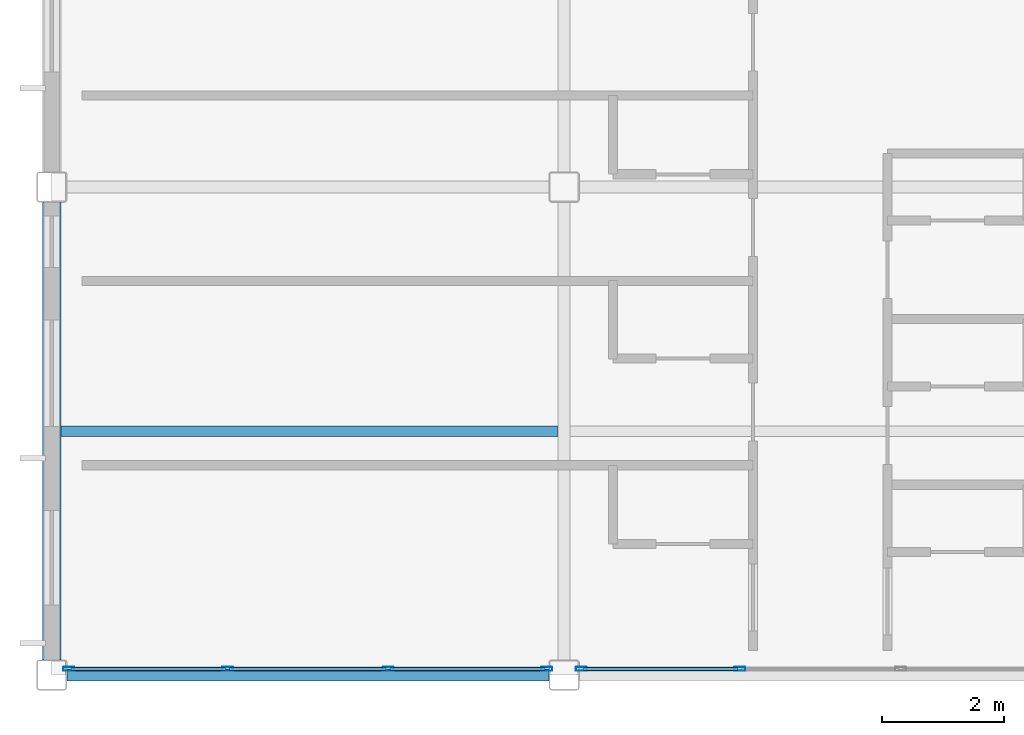
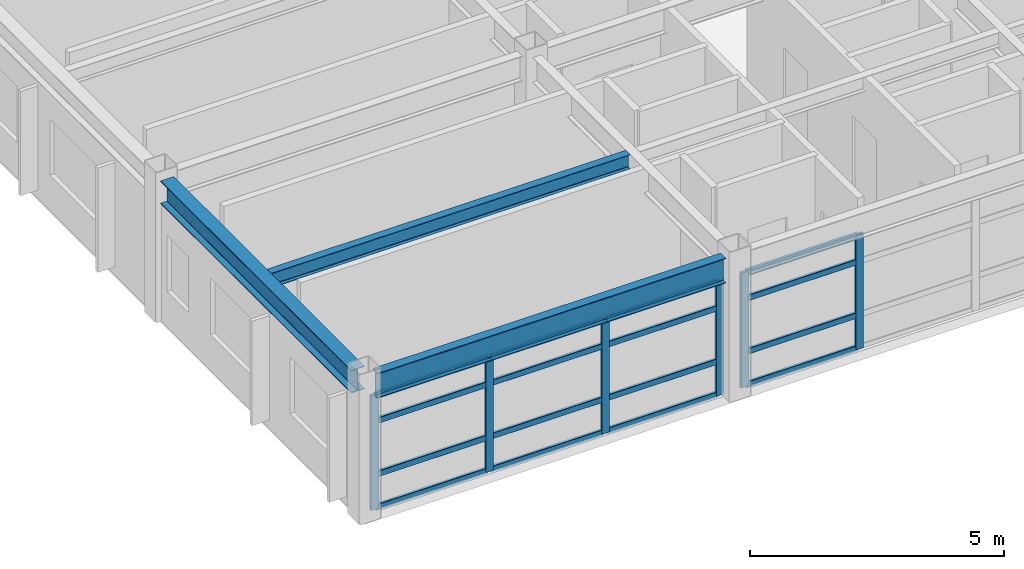
# One storey, part 3 of 35: 22 members, 3 beams, 2 elements without a shape of their own.
"""IFC4 building model written with IfcOpenShell, lengths in metres."""

from ifc_helpers import new_model, si_unit, direction, frame, origin, origin_2d, place, context, subcontext, project, spatial, hollow_rectangle, i_section, extrude, material, layer, layer_set, material_profile, profile_set, type_object, element, aggregate, save


model = new_model("IFC4")

# Units and contexts
model_context = context("Model", 3, precision=1e-05, world=origin(), true_north=direction((0.0, 1.0)))
body_context = subcontext(model_context, "Body", "Model", "MODEL_VIEW")
ifc_project = project(units=[si_unit("LENGTHUNIT", "METRE"), si_unit("AREAUNIT", "SQUARE_METRE"), si_unit("VOLUMEUNIT", "CUBIC_METRE"), si_unit("PLANEANGLEUNIT", "RADIAN"), si_unit("MASSUNIT", "GRAM", prefix="KILO")], contexts=[model_context])

# Site, building, storey
site_placement = place(None, origin())
site = spatial("IfcSite", under=ifc_project, at=site_placement, CompositionType="ELEMENT")
building_placement = place(site_placement, origin())
building = spatial("IfcBuilding", under=site, at=building_placement, Name="Kazehara Bluff Congress Hotel", CompositionType="ELEMENT")
storey_placement = place(building_placement, frame((0.0, 0.0, 35.39990234375)))
storey = spatial("IfcBuildingStorey", under=building, at=storey_placement, Name="L08", CompositionType="ELEMENT", Elevation=35.39990234375)

# Curtain wall, members
ifc_material_1 = material(Name="Anodised aluminium", Category="aluminium")
ifc_layer = layer(ifc_material_1, 0.159912109375)
ifc_layer_set = layer_set([ifc_layer], Name="Anodised aluminium")
curtain_wall_type = type_object("IfcCurtainWallType", Name="TP-CW-185", PredefinedType="NOTDEFINED", material=ifc_layer_set)
curtain_wall_1_placement = place(storey_placement, origin())
curtain_wall_1 = element("IfcCurtainWall", 1, at=curtain_wall_1_placement, inside=storey, type_object=curtain_wall_type, Name="L08 curtain wall CW-185 CW-ENC-V5-L08-14790-810", PredefinedType="NOTDEFINED")
ifc_material_2 = material(Name="Anodised aluminium", Category="aluminium")
ifc_material_profile_1 = material_profile(ifc_material_2, hollow_rectangle(XDim=0.06494140625, YDim=0.179931640625, WallThickness=0.00390625, InnerFilletRadius=0.00390625, OuterFilletRadius=0.008056640625, at=origin_2d()))
ifc_profile_set_1 = profile_set([ifc_material_profile_1], Name="Anodised aluminium")
member_type_1 = type_object("IfcMemberType", Name="TP-CWM-02", PredefinedType="MULLION", material=ifc_profile_set_1)
member_1_placement = place(storey_placement, frame((151.8173828125, 8.10009765625, 0.0), z_axis=(0.0, 0.0, 1.0), x_axis=(0.0, -1.0, 0.0)))
member_1 = element("IfcMember", 2, at=member_1_placement, type_object=member_type_1, Name="CW-185 mullion 1", PredefinedType="MULLION", context=body_context, shape_type="SweptSolid", body=[
    extrude(hollow_rectangle(XDim=0.06494140625, YDim=0.179931640625, WallThickness=0.00390625, InnerFilletRadius=0.00390625, OuterFilletRadius=0.008056640625, at=origin_2d()), origin(), (0.0, 0.0, 1.0), 2.755126953125),
])
member_2_placement = place(storey_placement, frame((149.216552734375, 8.10009765625, 0.0), z_axis=(0.0, 0.0, 1.0), x_axis=(0.0, -1.0, 0.0)))
member_2 = element("IfcMember", 3, at=member_2_placement, type_object=member_type_1, Name="CW-185 mullion 2", PredefinedType="MULLION", context=body_context, shape_type="SweptSolid", body=[
    extrude(hollow_rectangle(XDim=0.06494140625, YDim=0.179931640625, WallThickness=0.00390625, InnerFilletRadius=0.00390625, OuterFilletRadius=0.008056640625, at=origin_2d()), origin(), (0.0, 0.0, 1.0), 2.755126953125),
])
member_3_placement = place(storey_placement, frame((146.583251953125, 8.10009765625, 0.0), z_axis=(0.0, 0.0, 1.0), x_axis=(0.0, -1.0, 0.0)))
member_3 = element("IfcMember", 4, at=member_3_placement, type_object=member_type_1, Name="CW-185 mullion 3", PredefinedType="MULLION", context=body_context, shape_type="SweptSolid", body=[
    extrude(hollow_rectangle(XDim=0.06494140625, YDim=0.179931640625, WallThickness=0.00390625, InnerFilletRadius=0.00390625, OuterFilletRadius=0.008056640625, at=origin_2d()), origin(), (0.0, 0.0, 1.0), 2.755126953125),
])
member_4_placement = place(storey_placement, frame((143.982421875, 8.10009765625, 0.0), z_axis=(0.0, 0.0, 1.0), x_axis=(0.0, -1.0, 0.0)))
member_4 = element("IfcMember", 5, at=member_4_placement, type_object=member_type_1, Name="CW-185 mullion 4", PredefinedType="MULLION", context=body_context, shape_type="SweptSolid", body=[
    extrude(hollow_rectangle(XDim=0.06494140625, YDim=0.179931640625, WallThickness=0.00390625, InnerFilletRadius=0.00390625, OuterFilletRadius=0.008056640625, at=origin_2d()), origin(), (0.0, 0.0, 1.0), 2.755126953125),
])

curtain_wall_2_placement = place(storey_placement, origin())
curtain_wall_2 = element("IfcCurtainWall", 6, at=curtain_wall_2_placement, inside=storey, type_object=curtain_wall_type, Name="L08 curtain wall CW-185 CW-ENC-V5-L08-15630-810", PredefinedType="NOTDEFINED")
member_5_placement = place(storey_placement, frame((154.9833984375, 8.10009765625, 0.0), z_axis=(0.0, 0.0, 1.0), x_axis=(0.0, -1.0, 0.0)))
member_5 = element("IfcMember", 7, at=member_5_placement, type_object=member_type_1, Name="CW-185 mullion 3", PredefinedType="MULLION", context=body_context, shape_type="SweptSolid", body=[
    extrude(hollow_rectangle(XDim=0.06494140625, YDim=0.179931640625, WallThickness=0.00390625, InnerFilletRadius=0.00390625, OuterFilletRadius=0.008056640625, at=origin_2d()), origin(), (0.0, 0.0, 1.0), 2.755126953125),
])
member_6_placement = place(storey_placement, frame((152.382568359375, 8.10009765625, 0.0), z_axis=(0.0, 0.0, 1.0), x_axis=(0.0, -1.0, 0.0)))
member_6 = element("IfcMember", 8, at=member_6_placement, type_object=member_type_1, Name="CW-185 mullion 4", PredefinedType="MULLION", context=body_context, shape_type="SweptSolid", body=[
    extrude(hollow_rectangle(XDim=0.06494140625, YDim=0.179931640625, WallThickness=0.00390625, InnerFilletRadius=0.00390625, OuterFilletRadius=0.008056640625, at=origin_2d()), origin(), (0.0, 0.0, 1.0), 2.755126953125),
])

# Member
ifc_material_3 = material(Name="Anodised aluminium", Category="aluminium")
ifc_material_profile_2 = material_profile(ifc_material_3, hollow_rectangle(XDim=0.06494140625, YDim=0.139892578125, WallThickness=0.00390625, InnerFilletRadius=0.00390625, OuterFilletRadius=0.008056640625, at=origin_2d()))
ifc_profile_set_2 = profile_set([ifc_material_profile_2], Name="Anodised aluminium")
member_type_2 = type_object("IfcMemberType", Name="TP-CWT-02", PredefinedType="USERDEFINED", material=ifc_profile_set_2)
member_7_placement = place(storey_placement, frame((151.784912109375, 8.10009765625, 0.03271484375), z_axis=(-1.0, 0.0, 0.0), x_axis=(0.0, -1.0, 0.0)))
member_7 = element("IfcMember", 9, at=member_7_placement, type_object=member_type_2, Name="CW-185 transom 1.1", ObjectType="TRANSOM", PredefinedType="USERDEFINED", context=body_context, shape_type="SweptSolid", body=[
    extrude(hollow_rectangle(XDim=0.06494140625, YDim=0.139892578125, WallThickness=0.00390625, InnerFilletRadius=0.00390625, OuterFilletRadius=0.008056640625, at=origin_2d()), origin(), (0.0, 0.0, 1.0), 2.53564453125),
])

member_8_placement = place(storey_placement, frame((151.784912109375, 8.10009765625, 0.8251953125), z_axis=(-1.0, 0.0, 0.0), x_axis=(0.0, -1.0, 0.0)))
member_8 = element("IfcMember", 10, at=member_8_placement, type_object=member_type_2, Name="CW-185 transom 1.2", ObjectType="TRANSOM", PredefinedType="USERDEFINED", context=body_context, shape_type="SweptSolid", body=[
    extrude(hollow_rectangle(XDim=0.06494140625, YDim=0.139892578125, WallThickness=0.00390625, InnerFilletRadius=0.00390625, OuterFilletRadius=0.008056640625, at=origin_2d()), origin(), (0.0, 0.0, 1.0), 2.53564453125),
])

member_9_placement = place(storey_placement, frame((151.784912109375, 8.10009765625, 2.10498046875), z_axis=(-1.0, 0.0, 0.0), x_axis=(0.0, -1.0, 0.0)))
member_9 = element("IfcMember", 11, at=member_9_placement, type_object=member_type_2, Name="CW-185 transom 1.3", ObjectType="TRANSOM", PredefinedType="USERDEFINED", context=body_context, shape_type="SweptSolid", body=[
    extrude(hollow_rectangle(XDim=0.06494140625, YDim=0.139892578125, WallThickness=0.00390625, InnerFilletRadius=0.00390625, OuterFilletRadius=0.008056640625, at=origin_2d()), origin(), (0.0, 0.0, 1.0), 2.53564453125),
])

member_10_placement = place(storey_placement, frame((151.784912109375, 8.10009765625, 2.72265625), z_axis=(-1.0, 0.0, 0.0), x_axis=(0.0, -1.0, 0.0)))
member_10 = element("IfcMember", 12, at=member_10_placement, type_object=member_type_2, Name="CW-185 transom 1.4", ObjectType="TRANSOM", PredefinedType="USERDEFINED", context=body_context, shape_type="SweptSolid", body=[
    extrude(hollow_rectangle(XDim=0.06494140625, YDim=0.139892578125, WallThickness=0.00390625, InnerFilletRadius=0.00390625, OuterFilletRadius=0.008056640625, at=origin_2d()), origin(), (0.0, 0.0, 1.0), 2.53564453125),
])

member_11_placement = place(storey_placement, frame((149.18408203125, 8.10009765625, 0.03271484375), z_axis=(-1.0, 0.0, 0.0), x_axis=(0.0, -1.0, 0.0)))
member_11 = element("IfcMember", 13, at=member_11_placement, type_object=member_type_2, Name="CW-185 transom 2.1", ObjectType="TRANSOM", PredefinedType="USERDEFINED", context=body_context, shape_type="SweptSolid", body=[
    extrude(hollow_rectangle(XDim=0.06494140625, YDim=0.139892578125, WallThickness=0.00390625, InnerFilletRadius=0.00390625, OuterFilletRadius=0.008056640625, at=origin_2d()), origin(), (0.0, 0.0, 1.0), 2.568359375),
])

member_12_placement = place(storey_placement, frame((149.18408203125, 8.10009765625, 0.8251953125), z_axis=(-1.0, 0.0, 0.0), x_axis=(0.0, -1.0, 0.0)))
member_12 = element("IfcMember", 14, at=member_12_placement, type_object=member_type_2, Name="CW-185 transom 2.2", ObjectType="TRANSOM", PredefinedType="USERDEFINED", context=body_context, shape_type="SweptSolid", body=[
    extrude(hollow_rectangle(XDim=0.06494140625, YDim=0.139892578125, WallThickness=0.00390625, InnerFilletRadius=0.00390625, OuterFilletRadius=0.008056640625, at=origin_2d()), origin(), (0.0, 0.0, 1.0), 2.568359375),
])

member_13_placement = place(storey_placement, frame((149.18408203125, 8.10009765625, 2.10498046875), z_axis=(-1.0, 0.0, 0.0), x_axis=(0.0, -1.0, 0.0)))
member_13 = element("IfcMember", 15, at=member_13_placement, type_object=member_type_2, Name="CW-185 transom 2.3", ObjectType="TRANSOM", PredefinedType="USERDEFINED", context=body_context, shape_type="SweptSolid", body=[
    extrude(hollow_rectangle(XDim=0.06494140625, YDim=0.139892578125, WallThickness=0.00390625, InnerFilletRadius=0.00390625, OuterFilletRadius=0.008056640625, at=origin_2d()), origin(), (0.0, 0.0, 1.0), 2.568359375),
])

member_14_placement = place(storey_placement, frame((149.18408203125, 8.10009765625, 2.72265625), z_axis=(-1.0, 0.0, 0.0), x_axis=(0.0, -1.0, 0.0)))
member_14 = element("IfcMember", 16, at=member_14_placement, type_object=member_type_2, Name="CW-185 transom 2.4", ObjectType="TRANSOM", PredefinedType="USERDEFINED", context=body_context, shape_type="SweptSolid", body=[
    extrude(hollow_rectangle(XDim=0.06494140625, YDim=0.139892578125, WallThickness=0.00390625, InnerFilletRadius=0.00390625, OuterFilletRadius=0.008056640625, at=origin_2d()), origin(), (0.0, 0.0, 1.0), 2.568359375),
])

member_15_placement = place(storey_placement, frame((146.55078125, 8.10009765625, 0.03271484375), z_axis=(-1.0, 0.0, 0.0), x_axis=(0.0, -1.0, 0.0)))
member_15 = element("IfcMember", 17, at=member_15_placement, type_object=member_type_2, Name="CW-185 transom 3.1", ObjectType="TRANSOM", PredefinedType="USERDEFINED", context=body_context, shape_type="SweptSolid", body=[
    extrude(hollow_rectangle(XDim=0.06494140625, YDim=0.139892578125, WallThickness=0.00390625, InnerFilletRadius=0.00390625, OuterFilletRadius=0.008056640625, at=origin_2d()), origin(), (0.0, 0.0, 1.0), 2.535888671875),
])

member_16_placement = place(storey_placement, frame((146.55078125, 8.10009765625, 0.8251953125), z_axis=(-1.0, 0.0, 0.0), x_axis=(0.0, -1.0, 0.0)))
member_16 = element("IfcMember", 18, at=member_16_placement, type_object=member_type_2, Name="CW-185 transom 3.2", ObjectType="TRANSOM", PredefinedType="USERDEFINED", context=body_context, shape_type="SweptSolid", body=[
    extrude(hollow_rectangle(XDim=0.06494140625, YDim=0.139892578125, WallThickness=0.00390625, InnerFilletRadius=0.00390625, OuterFilletRadius=0.008056640625, at=origin_2d()), origin(), (0.0, 0.0, 1.0), 2.535888671875),
])

member_17_placement = place(storey_placement, frame((146.55078125, 8.10009765625, 2.10498046875), z_axis=(-1.0, 0.0, 0.0), x_axis=(0.0, -1.0, 0.0)))
member_17 = element("IfcMember", 19, at=member_17_placement, type_object=member_type_2, Name="CW-185 transom 3.3", ObjectType="TRANSOM", PredefinedType="USERDEFINED", context=body_context, shape_type="SweptSolid", body=[
    extrude(hollow_rectangle(XDim=0.06494140625, YDim=0.139892578125, WallThickness=0.00390625, InnerFilletRadius=0.00390625, OuterFilletRadius=0.008056640625, at=origin_2d()), origin(), (0.0, 0.0, 1.0), 2.535888671875),
])

member_18_placement = place(storey_placement, frame((146.55078125, 8.10009765625, 2.72265625), z_axis=(-1.0, 0.0, 0.0), x_axis=(0.0, -1.0, 0.0)))
member_18 = element("IfcMember", 20, at=member_18_placement, type_object=member_type_2, Name="CW-185 transom 3.4", ObjectType="TRANSOM", PredefinedType="USERDEFINED", context=body_context, shape_type="SweptSolid", body=[
    extrude(hollow_rectangle(XDim=0.06494140625, YDim=0.139892578125, WallThickness=0.00390625, InnerFilletRadius=0.00390625, OuterFilletRadius=0.008056640625, at=origin_2d()), origin(), (0.0, 0.0, 1.0), 2.535888671875),
])

aggregate(curtain_wall_1, [member_1, member_2, member_3, member_4, member_7, member_8, member_9, member_10, member_11, member_12, member_13, member_14, member_15, member_16, member_17, member_18])

member_19_placement = place(storey_placement, frame((154.950927734375, 8.10009765625, 0.03271484375), z_axis=(-1.0, 0.0, 0.0), x_axis=(0.0, -1.0, 0.0)))
member_19 = element("IfcMember", 21, at=member_19_placement, type_object=member_type_2, Name="CW-185 transom 3.1", ObjectType="TRANSOM", PredefinedType="USERDEFINED", context=body_context, shape_type="SweptSolid", body=[
    extrude(hollow_rectangle(XDim=0.06494140625, YDim=0.139892578125, WallThickness=0.00390625, InnerFilletRadius=0.00390625, OuterFilletRadius=0.008056640625, at=origin_2d()), origin(), (0.0, 0.0, 1.0), 2.535888671875),
])

member_20_placement = place(storey_placement, frame((154.950927734375, 8.10009765625, 0.8251953125), z_axis=(-1.0, 0.0, 0.0), x_axis=(0.0, -1.0, 0.0)))
member_20 = element("IfcMember", 22, at=member_20_placement, type_object=member_type_2, Name="CW-185 transom 3.2", ObjectType="TRANSOM", PredefinedType="USERDEFINED", context=body_context, shape_type="SweptSolid", body=[
    extrude(hollow_rectangle(XDim=0.06494140625, YDim=0.139892578125, WallThickness=0.00390625, InnerFilletRadius=0.00390625, OuterFilletRadius=0.008056640625, at=origin_2d()), origin(), (0.0, 0.0, 1.0), 2.535888671875),
])

member_21_placement = place(storey_placement, frame((154.950927734375, 8.10009765625, 2.10498046875), z_axis=(-1.0, 0.0, 0.0), x_axis=(0.0, -1.0, 0.0)))
member_21 = element("IfcMember", 23, at=member_21_placement, type_object=member_type_2, Name="CW-185 transom 3.3", ObjectType="TRANSOM", PredefinedType="USERDEFINED", context=body_context, shape_type="SweptSolid", body=[
    extrude(hollow_rectangle(XDim=0.06494140625, YDim=0.139892578125, WallThickness=0.00390625, InnerFilletRadius=0.00390625, OuterFilletRadius=0.008056640625, at=origin_2d()), origin(), (0.0, 0.0, 1.0), 2.535888671875),
])

member_22_placement = place(storey_placement, frame((154.950927734375, 8.10009765625, 2.72265625), z_axis=(-1.0, 0.0, 0.0), x_axis=(0.0, -1.0, 0.0)))
member_22 = element("IfcMember", 24, at=member_22_placement, type_object=member_type_2, Name="CW-185 transom 3.4", ObjectType="TRANSOM", PredefinedType="USERDEFINED", context=body_context, shape_type="SweptSolid", body=[
    extrude(hollow_rectangle(XDim=0.06494140625, YDim=0.139892578125, WallThickness=0.00390625, InnerFilletRadius=0.00390625, OuterFilletRadius=0.008056640625, at=origin_2d()), origin(), (0.0, 0.0, 1.0), 2.535888671875),
])

aggregate(curtain_wall_2, [member_5, member_6, member_19, member_20, member_21, member_22])

# Beams
ifc_material_4 = material(Name="Steel SN490B", Category="steel")
ifc_material_profile_3 = material_profile(ifc_material_4, i_section(OverallWidth=0.199951171875, OverallDepth=0.60009765625, WebThickness=0.010986328125, FlangeThickness=0.01708984375, FilletRadius=0.012939453125, at=origin_2d()))
ifc_profile_set_3 = profile_set([ifc_material_profile_3], Name="Steel SN490B")
beam_type_1 = type_object("IfcBeamType", Name="TP-G-02", PredefinedType="BEAM", material=ifc_profile_set_3)
beam_1_placement = place(storey_placement, frame((143.949951171875, 8.0, 3.080078125), z_axis=(1.0, 0.0, 0.0), x_axis=(0.0, 1.0, 0.0)))
element("IfcBeam", 25, at=beam_1_placement, inside=storey, type_object=beam_type_1, Name="L08 girder G-02 36", PredefinedType="BEAM", context=body_context, shape_type="SweptSolid", body=[
    extrude(i_section(OverallWidth=0.199951171875, OverallDepth=0.60009765625, WebThickness=0.010986328125, FlangeThickness=0.01708984375, FilletRadius=0.012939453125, at=origin_2d()), origin(), (0.0, 0.0, 1.0), 7.900146484375),
])
ifc_material_5 = material(Name="Steel SN400B", Category="steel")
ifc_material_profile_4 = material_profile(ifc_material_5, i_section(OverallWidth=0.175048828125, OverallDepth=0.35009765625, WebThickness=0.007080078125, FlangeThickness=0.010986328125, FilletRadius=0.012939453125, at=origin_2d()))
ifc_profile_set_4 = profile_set([ifc_material_profile_4], Name="Steel SN400B")
beam_type_2 = type_object("IfcBeamType", Name="TP-J-02", PredefinedType="JOIST", material=ifc_profile_set_4)
beam_2_placement = place(storey_placement, frame((143.85009765625, 12.0, 3.205078125), z_axis=(1.0, 0.0, 0.0), x_axis=(0.0, 1.0, 0.0)))
element("IfcBeam", 26, at=beam_2_placement, inside=storey, type_object=beam_type_2, Name="L08 secondary joist J-02 1", PredefinedType="JOIST", context=body_context, shape_type="SweptSolid", body=[
    extrude(i_section(OverallWidth=0.175048828125, OverallDepth=0.35009765625, WebThickness=0.007080078125, FlangeThickness=0.010986328125, FilletRadius=0.012939453125, at=origin_2d()), origin(), (0.0, 0.0, 1.0), 8.14990234375),
])
ifc_material_6 = material(Name="Steel SN490B", Category="steel")
ifc_material_profile_5 = material_profile(ifc_material_6, i_section(OverallWidth=0.300048828125, OverallDepth=0.550048828125, WebThickness=0.010986328125, FlangeThickness=0.01806640625, FilletRadius=0.012939453125, at=origin_2d()))
ifc_profile_set_5 = profile_set([ifc_material_profile_5], Name="Steel SN490B")
beam_type_3 = type_object("IfcBeamType", Name="TP-SP-01", PredefinedType="SPANDREL", material=ifc_profile_set_5)
beam_3_placement = place(storey_placement, frame((143.699951171875, 8.25, 3.10498046875), z_axis=(0.0, 1.0, 0.0), x_axis=(-1.0, 0.0, 0.0)))
element("IfcBeam", 27, at=beam_3_placement, inside=storey, type_object=beam_type_3, Name="L08 girder SP-01 1", PredefinedType="SPANDREL", context=body_context, shape_type="SweptSolid", body=[
    extrude(i_section(OverallWidth=0.300048828125, OverallDepth=0.550048828125, WebThickness=0.010986328125, FlangeThickness=0.01806640625, FilletRadius=0.012939453125, at=origin_2d()), origin(), (0.0, 0.0, 1.0), 7.5),
])

save(model, "model.ifc")
